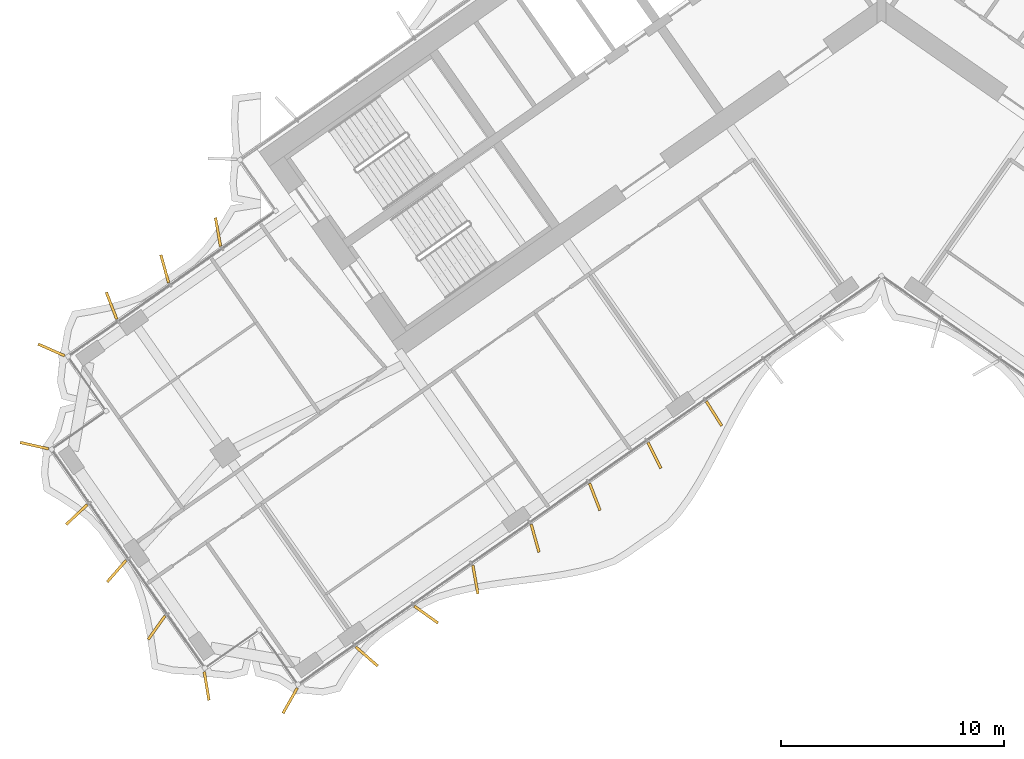
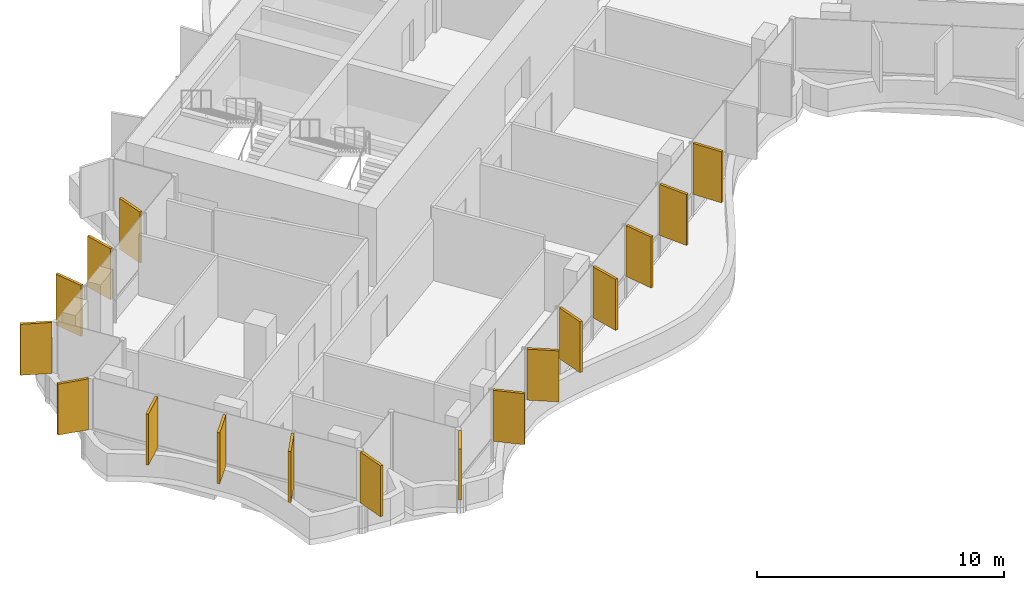
# One storey, part 19 of 23: 17 shading devices.
"""IFC4 building model written with IfcOpenShell, lengths in metres."""

from ifc_helpers import new_model, si_unit, direction, frame, origin, origin_2d, place, context, subcontext, project, spatial, rectangle, extrude, material, layer, layer_set, type_object, element, save


model = new_model("IFC4")

# Units and contexts
model_context = context("Model", 3, precision=1e-05, world=origin(), true_north=direction((0.0, 1.0)))
body_context = subcontext(model_context, "Body", "Model", "MODEL_VIEW")
ifc_project = project(units=[si_unit("LENGTHUNIT", "METRE"), si_unit("AREAUNIT", "SQUARE_METRE"), si_unit("VOLUMEUNIT", "CUBIC_METRE"), si_unit("PLANEANGLEUNIT", "RADIAN"), si_unit("MASSUNIT", "GRAM", prefix="KILO")], contexts=[model_context])

# Site, building, storey
site_placement = place(None, origin())
site = spatial("IfcSite", under=ifc_project, at=site_placement, CompositionType="ELEMENT")
building_placement = place(site_placement, origin())
building = spatial("IfcBuilding", under=site, at=building_placement, Name="Tel Ilan Convention Tower", CompositionType="ELEMENT")
storey_placement = place(building_placement, frame((0.0, 0.0, 182.699951171875)))
storey = spatial("IfcBuildingStorey", under=building, at=storey_placement, Name="L42", CompositionType="ELEMENT", Elevation=182.699951171875)

# Shading devices
ifc_material = material(Name="Aluminium, bronze anodised", Category="aluminium")
ifc_layer = layer(ifc_material, 0.1201171875)
ifc_layer_set = layer_set([ifc_layer], Name="FIN BRONZE 1300x120")
shading_device_type = type_object("IfcShadingDeviceType", Name="FIN BRONZE 1300x120", PredefinedType="USERDEFINED", material=ifc_layer_set)
for number, where, z_axis, x_axis, name in (
    (1, (-29.814453125, -10.726806640625, 1.10009765625), (0.0, 0.0, 1.0), (-0.173648177667, 0.984807753012, 0.0), "FIN"),
    (2, (-32.20751953125, -12.3798828125, 1.10009765625), (0.0, 0.0, 1.0), (-0.268172612768, 0.963370878614, 0.0), "FIN"),
    (3, (-34.5986328125, -14.0390625, 1.10009765625), (0.0, 0.0, 1.0), (-0.360177724803, 0.932883704733, 0.0), "FIN"),
    (4, (-37.299072265625, -16.02587890625, 1.10009765625), (0.0, 0.0, 1.0), (-0.914332505315, 0.404964282034, 0.0), "FIN"),
    (5, (-38.064208984375, -20.325439453125, 1.10009765625), (0.0, 0.0, 1.0), (-0.975235208752, 0.221170268371, 0.0), "FIN"),
    (6, (-36.157958984375, -23.418701171875, 1.10009765625), (0.0, 0.0, 1.0), (-0.727373641577, -0.686241637865, 0.0), "FIN"),
    (7, (-34.367919921875, -25.964111328125, 1.10009765625), (0.0, 0.0, 1.0), (-0.657521368568, -0.753435896329, 0.0), "FIN"),
    (8, (-32.573486328125, -28.5048828125, 1.10009765625), (0.0, 0.0, 1.0), (-0.581492071294, -0.813552070258, 0.0), "FIN"),
    (9, (-30.326904296875, -31.12353515625, 1.10009765625), (0.0, 0.0, 1.0), (0.16409119891, -0.986445172547, 0.0), "FIN"),
    (10, (-26.574951171875, -31.78515625, 1.10009765625), (0.0, 0.0, 1.0), (-0.491579408049, -0.870832754082, 0.0), "FIN"),
    (11, (-23.129150390625, -29.800537109375, 1.10009765625), (0.0, 0.0, 1.0), (0.753435896329, -0.657521368568, 0.0), "FIN"),
    (12, (-20.461669921875, -27.91748046875, 1.10009765625), (0.0, 0.0, 1.0), (0.813552070258, -0.581492071294, 0.0), "FIN"),
    (13, (-18.249267578125, -26.345947265625, 1.10009765625), (0.0, 0.0, 1.0), (0.173648177667, -0.984807753012, 0.0), "FIN"),
    (14, (-15.565673828125, -24.489501953125, 1.10009765625), (0.0, 0.0, 1.0), (0.268172612768, -0.963370878614, 0.0), "FIN"),
    (15, (-12.884033203125, -22.626953125, 1.10009765625), (0.0, 0.0, 1.0), (0.360177724803, -0.932883704733, 0.0), "FIN"),
    (16, (-10.204345703125, -20.758544921875, 1.10009765625), (0.0, 0.0, 1.0), (0.448799180206, -0.893632640321, 0.0), "FIN"),
    (17, (-7.527587890625, -18.884521484375, 1.10009765625), (0.0, 0.0, 1.0), (0.533204432798, -0.845986425922, 0.0), "FIN"),
):
    element("IfcShadingDevice", number, at=place(storey_placement, frame(where, z_axis=z_axis, x_axis=x_axis)), inside=storey, type_object=shading_device_type, Name=name, ObjectType="FIN", PredefinedType="USERDEFINED", context=body_context, shape_type="SweptSolid", body=[
        extrude(rectangle(XDim=1.300048828125, YDim=0.1201171875, at=origin_2d()), origin(), (0.0, 0.0, 1.0), 2.52001953125),
    ])

save(model, "model.ifc")
